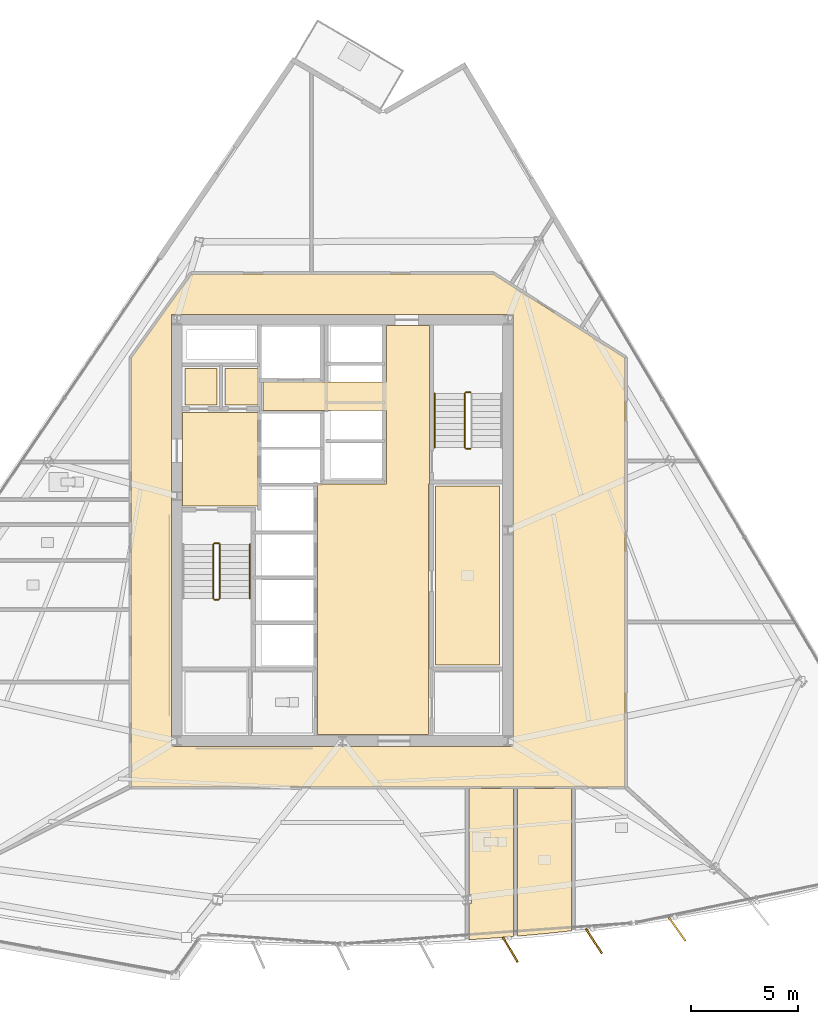
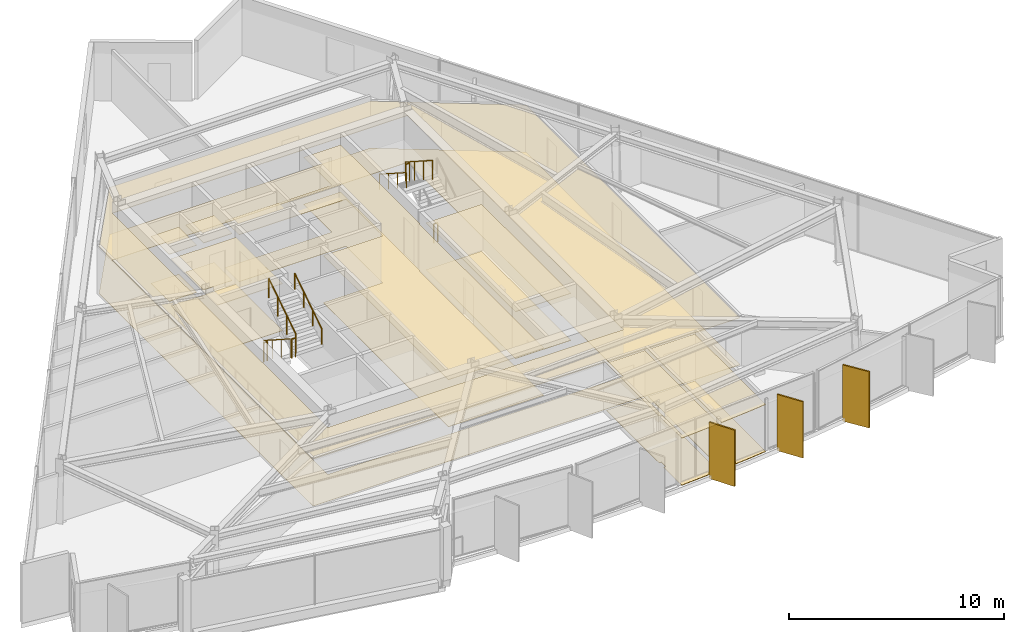
# One storey, part 12 of 14: 16 coverings, 9 railings, 3 shading devices.
"""IFC4 building model written with IfcOpenShell, lengths in metres."""

import ifcopenshell
import ifcopenshell.guid

model = None  # the IFC model being written
_history = None  # IfcOwnerHistory: only IFC2X3 demands one
_inside = {}  # id of a spatial element -> (the spatial element, [elements in it])
_under = {}  # id of a project, library or spatial element -> (it, [spatial elements below it])
_declared = {}  # id of a project -> (the project, [libraries it declares])
_typed = {}  # id of a type object -> (the type object, [elements of that type])
_made_of = {}  # id of a material, layer set ... -> (it, [elements and type objects made of it])


def new_model(schema):
    """Start an empty IFC model of exactly this schema.

    Asked for "IFC4X3", IfcOpenShell would pick the latest addendum, in which some entities
    have other attributes; the version numbers below select the first issue.
    IFC2X3 requires an IfcOwnerHistory on every rooted entity: one is made here for all.
    """
    global model, _history
    if schema == "IFC4X3":
        model = ifcopenshell.file(schema_version=(4, 3, 0, 0))
    else:
        model = ifcopenshell.file(schema=schema)
    _inside.clear()
    _under.clear()
    _declared.clear()
    _typed.clear()
    _made_of.clear()
    _history = None
    if model.schema == "IFC2X3":
        org = make("IfcOrganization", Name="unknown")
        user = make(
            "IfcPersonAndOrganization",
            ThePerson=make("IfcPerson", FamilyName="unknown"),
            TheOrganization=org,
        )
        app = make(
            "IfcApplication",
            ApplicationDeveloper=org,
            Version="unknown",
            ApplicationFullName="unknown",
            ApplicationIdentifier="unknown",
        )
        _history = make(
            "IfcOwnerHistory",
            OwningUser=user,
            OwningApplication=app,
            ChangeAction="ADDED",
            CreationDate=0,
        )
    return model


def make(cls, **values):
    """One entity of the class cls with the attributes given. An attribute that is None is left unset."""
    return model.create_entity(
        cls, **{name: value for name, value in values.items() if value is not None}
    )


def rooted(cls, **values):
    """An entity with a GlobalId (a new one), such as an element, a storey or a relation."""
    return make(cls, GlobalId=ifcopenshell.guid.new(), OwnerHistory=_history, **values)


def si_unit(unit_type, name, prefix=None):
    """IfcSIUnit, for example si_unit("LENGTHUNIT", "METRE", prefix="MILLI")."""
    return make("IfcSIUnit", UnitType=unit_type, Prefix=prefix, Name=name)


def assignment(units):
    """IfcUnitAssignment: the units of a project."""
    return None if units is None else make("IfcUnitAssignment", Units=units)


def point(xyz):
    """IfcCartesianPoint."""
    return None if xyz is None else make("IfcCartesianPoint", Coordinates=xyz)


def direction(xyz):
    """IfcDirection."""
    return None if xyz is None else make("IfcDirection", DirectionRatios=xyz)


def frame(location, z_axis=None, x_axis=None):
    """IfcAxis2Placement3D, a coordinate frame: its origin and axes. An axis left out is left unset."""
    return make(
        "IfcAxis2Placement3D",
        Location=point(location),
        Axis=direction(z_axis),
        RefDirection=direction(x_axis),
    )


def frame_2d(location, x_axis=None):
    """IfcAxis2Placement2D, a coordinate frame in the plane: its origin and x axis."""
    return make(
        "IfcAxis2Placement2D", Location=point(location), RefDirection=direction(x_axis)
    )


def origin():
    """The frame at (0, 0, 0) with its axes left unset."""
    return frame((0.0, 0.0, 0.0))


def origin_2d():
    """The frame at (0, 0) in the plane with its x axis left unset."""
    return frame_2d((0.0, 0.0))


def place(relative_to, where):
    """IfcLocalPlacement: puts the frame where relative to a parent placement (None: the world)."""
    return make(
        "IfcLocalPlacement", PlacementRelTo=relative_to, RelativePlacement=where
    )


def context(
    kind, dimensions, precision=None, world=None, true_north=None, identifier=None
):
    """IfcGeometricRepresentationContext, for example the 3D "Model" context."""
    return make(
        "IfcGeometricRepresentationContext",
        ContextIdentifier=identifier,
        ContextType=kind,
        CoordinateSpaceDimension=dimensions,
        Precision=precision,
        WorldCoordinateSystem=world,
        TrueNorth=true_north,
    )


def subcontext(parent, identifier, kind, view, scale=None):
    """IfcGeometricRepresentationSubContext, for example "Body" below "Model"."""
    return make(
        "IfcGeometricRepresentationSubContext",
        ContextIdentifier=identifier,
        ContextType=kind,
        ParentContext=parent,
        TargetScale=scale,
        TargetView=view,
    )


def project(units=None, contexts=None):
    """IfcProject with its units and contexts."""
    return rooted(
        "IfcProject",
        Name="project",
        RepresentationContexts=contexts,
        UnitsInContext=assignment(units),
    )


def spatial(cls, under=None, at=None, **own):
    """A site, building, storey or space (cls), placed at a placement, below another one or the project."""
    s = rooted(cls, ObjectPlacement=at, **own)
    if under is not None:
        _under.setdefault(under.id(), (under, []))[1].append(s)
    return s


def polyline(points):
    """IfcPolyline through the points."""
    return make("IfcPolyline", Points=[point(p) for p in points])


def profile(cls, at=None, kind="AREA", **sizes):
    """A parametric profile (cls). Its sizes go by their IFC names, for example OverallWidth=200.0."""
    return make(cls, ProfileType=kind, Position=at, **sizes)


def rectangle(**sizes):
    """IfcRectangleProfileDef."""
    return profile("IfcRectangleProfileDef", **sizes)


def circle(**sizes):
    """IfcCircleProfileDef."""
    return profile("IfcCircleProfileDef", **sizes)


def outline(outer, holes=None, kind="AREA"):
    """IfcArbitraryClosedProfileDef: a profile drawn as a closed curve; with holes, ...WithVoids."""
    if holes is None:
        return make("IfcArbitraryClosedProfileDef", ProfileType=kind, OuterCurve=outer)
    return make(
        "IfcArbitraryProfileDefWithVoids",
        ProfileType=kind,
        OuterCurve=outer,
        InnerCurves=holes,
    )


def extrude(swept, where, along, depth):
    """IfcExtrudedAreaSolid: the profile swept, set in the frame where, extruded along a direction by depth."""
    return make(
        "IfcExtrudedAreaSolid",
        SweptArea=swept,
        Position=where,
        ExtrudedDirection=direction(along),
        Depth=depth,
    )


def shape(context_of_items, identifier, shape_type, items):
    """IfcShapeRepresentation: the items that make up one representation, for example the "Body"."""
    return make(
        "IfcShapeRepresentation",
        ContextOfItems=context_of_items,
        RepresentationIdentifier=identifier,
        RepresentationType=shape_type,
        Items=items,
    )


def material(Name=None, Category=None):
    """IfcMaterial."""
    return make("IfcMaterial", Name=Name, Category=Category)


def layer(
    of_material, thickness, ventilated=None, Name=None, Category=None, Priority=None
):
    """IfcMaterialLayer: one layer of a wall or slab, of a material (None: an air gap)."""
    return make(
        "IfcMaterialLayer",
        Material=of_material,
        LayerThickness=thickness,
        IsVentilated=ventilated,
        Name=Name,
        Category=Category,
        Priority=Priority,
    )


def layer_set(layers, Name=None):
    """IfcMaterialLayerSet."""
    return make("IfcMaterialLayerSet", MaterialLayers=layers, LayerSetName=Name)


def made_of(thing, what):
    """Note that an element or type object is made of a material, layer set ...; save() writes the relation."""
    if what is not None:
        _made_of.setdefault(what.id(), (what, []))[1].append(thing)
    return thing


def type_object(cls, material=None, **own):
    """A type object (cls), such as IfcWallType, which elements share."""
    return made_of(rooted(cls, **own), material)


def element(
    cls,
    number,
    at=None,
    inside=None,
    cuts=None,
    type_object=None,
    material=None,
    context=None,
    identifier="Body",
    shape_type=None,
    held_by="IfcProductDefinitionShape",
    body=None,
    shapes=None,
    **own,
):
    """One element of the class cls, such as IfcWall. Its Tag is "e" and its number.

    at: its placement. inside: the storey or other place that contains it. cuts: it is an
    opening in that element (IfcRelVoidsElement). A single representation is given by context,
    identifier, shape_type and body (its items); several are given by shapes. held_by: the class
    of the entity that holds the representations. save() writes the other relations.
    """
    e = rooted(cls, Tag="e%d" % number, ObjectPlacement=at, **own)
    if body is not None:
        shapes = [shape(context, identifier, shape_type, body)]
    if shapes is not None:
        e.Representation = make(held_by, Representations=shapes)
    if inside is not None:
        _inside.setdefault(inside.id(), (inside, []))[1].append(e)
    if cuts is not None:
        rooted(
            "IfcRelVoidsElement", RelatingBuildingElement=cuts, RelatedOpeningElement=e
        )
    if type_object is not None:
        _typed.setdefault(type_object.id(), (type_object, []))[1].append(e)
    return made_of(e, material)


def aggregate(whole, parts):
    """IfcRelAggregates: a whole, such as a stair, and the parts it consists of."""
    return rooted("IfcRelAggregates", RelatingObject=whole, RelatedObjects=parts)


def save(model, path):
    """Write the relations noted so far, then the file.

    IfcRelAggregates (storeys below a building ...), IfcRelContainedInSpatialStructure (elements
    in a storey), IfcRelDefinesByType, IfcRelAssociatesMaterial and IfcRelDeclares: one each for
    every whole, place, type object, material and project.
    """
    for whole, parts in _under.values():
        aggregate(whole, parts)
    for where, things in _inside.values():
        rooted(
            "IfcRelContainedInSpatialStructure",
            RelatedElements=things,
            RelatingStructure=where,
        )
    for kind, things in _typed.values():
        rooted("IfcRelDefinesByType", RelatedObjects=things, RelatingType=kind)
    for what, things in _made_of.values():
        rooted("IfcRelAssociatesMaterial", RelatedObjects=things, RelatingMaterial=what)
    for by, libraries in _declared.values():
        rooted("IfcRelDeclares", RelatingContext=by, RelatedDefinitions=libraries)
    model.write(path)


model = new_model("IFC4")

# Units and contexts
model_context = context("Model", 3, precision=1e-05, world=origin(), true_north=direction((0.0, 1.0)))
body_context = subcontext(model_context, "Body", "Model", "MODEL_VIEW")
ifc_project = project(units=[si_unit("LENGTHUNIT", "METRE"), si_unit("AREAUNIT", "SQUARE_METRE"), si_unit("VOLUMEUNIT", "CUBIC_METRE"), si_unit("PLANEANGLEUNIT", "RADIAN"), si_unit("MASSUNIT", "GRAM", prefix="KILO")], contexts=[model_context])

# Site, building, storey
site_placement = place(None, origin())
site = spatial("IfcSite", under=ifc_project, at=site_placement, CompositionType="ELEMENT")
building_placement = place(site_placement, origin())
building = spatial("IfcBuilding", under=site, at=building_placement, Name="Savorim Split Tower", CompositionType="ELEMENT")
storey_placement = place(building_placement, frame((0.0, 0.0, 178.199951171875)))
storey = spatial("IfcBuildingStorey", under=building, at=storey_placement, Name="L47", CompositionType="ELEMENT", Elevation=178.199951171875)

# Coverings
ifc_material_1 = material(Name="Mineral Fibre Acoustic Ceiling")
ifc_layer_1 = layer(ifc_material_1, 0.02490234375)
ifc_layer_set_1 = layer_set([ifc_layer_1], Name="COV-CEIL-25")
covering_type_1 = type_object("IfcCoveringType", Name="COV-CEIL-25", PredefinedType="CEILING", material=ifc_layer_set_1)
covering_1_placement = place(storey_placement, frame((0.0, 0.0, 2.670166015625)))
element("IfcCovering", 1, at=covering_1_placement, inside=storey, type_object=covering_type_1, Name="L47 Firefighting Lift Lobby Acoustic Ceiling", PredefinedType="CEILING", context=body_context, shape_type="SweptSolid", body=[
    extrude(outline(polyline([(-7.429931640625, 5.8701171875), (-7.429931640625, 1.530029296875), (-3.929931640625, 1.530029296875), (-3.929931640625, 5.8701171875), (-7.429931640625, 5.8701171875)])), origin(), (0.0, 0.0, 1.0), 0.02490234375),
])
covering_2_placement = place(storey_placement, frame((0.0, 0.0, 2.670166015625)))
element("IfcCovering", 2, at=covering_2_placement, inside=storey, type_object=covering_type_1, Name="L47 Electrical Riser Acoustic Ceiling", PredefinedType="CEILING", context=body_context, shape_type="SweptSolid", body=[
    extrude(outline(polyline([(-7.320068359375, 7.919921875), (-7.320068359375, 6.22998046875), (-5.830078125, 6.22998046875), (-5.830078125, 7.919921875), (-7.320068359375, 7.919921875)])), origin(), (0.0, 0.0, 1.0), 0.02490234375),
])
covering_3_placement = place(storey_placement, frame((0.0, 0.0, 2.670166015625)))
element("IfcCovering", 3, at=covering_3_placement, inside=storey, type_object=covering_type_1, Name="L47 Telecom Riser Acoustic Ceiling", PredefinedType="CEILING", context=body_context, shape_type="SweptSolid", body=[
    extrude(outline(polyline([(-5.469970703125, 7.919921875), (-5.469970703125, 6.22998046875), (-3.929931640625, 6.22998046875), (-3.929931640625, 7.919921875), (-5.469970703125, 7.919921875)])), origin(), (0.0, 0.0, 1.0), 0.02490234375),
])
covering_4_placement = place(storey_placement, frame((0.0, 0.0, 2.670166015625)))
element("IfcCovering", 4, at=covering_4_placement, inside=storey, type_object=covering_type_1, Name="L47 Lift Lobby Acoustic Ceiling", PredefinedType="CEILING", context=body_context, shape_type="SweptSolid", body=[
    extrude(outline(polyline([(2.050048828125, 2.550048828125), (-1.14990234375, 2.550048828125), (-1.14990234375, -9.10009765625), (4.0, -9.10009765625), (4.0, 2.550048828125), (4.050048828125, 2.550048828125), (4.050048828125, 5.97998046875), (4.050048828125, 7.300048828125), (4.050048828125, 9.929931640625), (2.050048828125, 9.929931640625), (2.050048828125, 7.300048828125), (-3.699951171875, 7.300048828125), (-3.699951171875, 5.97998046875), (2.050048828125, 5.97998046875), (2.050048828125, 2.550048828125)])), origin(), (0.0, 0.0, 1.0), 0.02490234375),
])
covering_5_placement = place(storey_placement, frame((0.0, 0.0, 2.670166015625)))
element("IfcCovering", 5, at=covering_5_placement, inside=storey, type_object=covering_type_1, Name="L47 Community Laundry Room Acoustic Ceiling", PredefinedType="CEILING", context=body_context, shape_type="SweptSolid", body=[
    extrude(outline(polyline([(4.330078125, 2.469970703125), (4.330078125, -5.8701171875), (7.320068359375, -5.8701171875), (7.320068359375, 2.469970703125), (4.330078125, 2.469970703125)])), origin(), (0.0, 0.0, 1.0), 0.02490234375),
])
covering_6_placement = place(storey_placement, frame((0.0, 0.0, 2.670166015625)))
element("IfcCovering", 6, at=covering_6_placement, inside=storey, type_object=covering_type_1, Name="L47 Corridor Acoustic Ceiling", PredefinedType="CEILING", context=body_context, shape_type="SweptSolid", body=[
    extrude(outline(polyline([(7.009521484375, 12.3291015625), (7.004638671875, 12.329833984375), (7.0, 12.330078125), (-7.0, 12.330078125), (-7.004638671875, 12.329833984375), (-7.009521484375, 12.3291015625), (-7.013916015625, 12.327880859375), (-7.0185546875, 12.326416015625), (-7.022705078125, 12.324462890625), (-7.027099609375, 12.322021484375), (-7.03076171875, 12.3193359375), (-7.034423828125, 12.31640625), (-7.03759765625, 12.312744140625), (-7.04052734375, 12.30908203125), (-9.820556640625, 8.42919921875), (-9.823486328125, 8.4248046875), (-9.82568359375, 8.420166015625), (-9.82763671875, 8.415283203125), (-9.828857421875, 8.410400390625), (-9.82958984375, 8.4052734375), (-9.830078125, 8.39990234375), (-9.830078125, -11.47998046875), (-9.829833984375, -11.48486328125), (-9.8291015625, -11.48974609375), (-9.827880859375, -11.494384765625), (-9.826171875, -11.4990234375), (-9.82421875, -11.503662109375), (-9.821533203125, -11.5078125), (-9.818603515625, -11.51171875), (-9.8154296875, -11.515380859375), (-9.811767578125, -11.518798828125), (-9.807861328125, -11.521484375), (-9.8037109375, -11.524169921875), (-9.799072265625, -11.526123046875), (-9.79443359375, -11.52783203125), (-9.789794921875, -11.529052734375), (-9.784912109375, -11.52978515625), (-9.780029296875, -11.530029296875), (13.10009765625, -11.530029296875), (13.10498046875, -11.52978515625), (13.10986328125, -11.529052734375), (13.114501953125, -11.52783203125), (13.119140625, -11.526123046875), (13.12353515625, -11.524169921875), (13.127685546875, -11.521484375), (13.131591796875, -11.518798828125), (13.135498046875, -11.515380859375), (13.138671875, -11.51171875), (13.1416015625, -11.5078125), (13.14404296875, -11.503662109375), (13.146240234375, -11.4990234375), (13.147705078125, -11.494384765625), (13.14892578125, -11.48974609375), (13.14990234375, -11.48486328125), (13.14990234375, -11.47998046875), (13.14990234375, 8.39990234375), (13.149658203125, 8.405029296875), (13.14892578125, 8.409912109375), (13.147705078125, 8.414794921875), (13.14599609375, 8.41943359375), (13.143798828125, 8.424072265625), (13.14111328125, 8.42822265625), (13.13818359375, 8.432373046875), (13.134765625, 8.43603515625), (13.130859375, 8.439208984375), (13.126708984375, 8.442138671875), (7.02685546875, 12.322265625), (7.022705078125, 12.324462890625), (7.018310546875, 12.326416015625), (7.013916015625, 12.327880859375), (7.009521484375, 12.3291015625)]), holes=[polyline([(-7.949951171875, 10.449951171875), (-7.949951171875, -9.64990234375), (7.949951171875, -9.64990234375), (7.949951171875, 10.449951171875), (-7.949951171875, 10.449951171875)])]), origin(), (0.0, 0.0, 1.0), 0.02490234375),
])
covering_7_placement = place(storey_placement, frame((0.0, 0.0, 2.670166015625)))
element("IfcCovering", 7, at=covering_7_placement, inside=storey, type_object=covering_type_1, Name="L47 Shared Bathroom Acoustic Ceiling", PredefinedType="CEILING", context=body_context, shape_type="SweptSolid", body=[
    extrude(outline(polyline([(5.8935546875, -18.6044921875), (5.8935546875, -18.648193359375), (7.7626953125, -18.51416015625), (7.957275390625, -18.49609375), (7.957275390625, -11.6201171875), (5.8935546875, -11.6201171875), (5.8935546875, -16.548828125), (6.009033203125, -16.548828125), (6.009033203125, -16.968017578125), (5.8935546875, -16.968017578125), (5.8935546875, -18.6044921875)])), origin(), (0.0, 0.0, 1.0), 0.02490234375),
])
covering_8_placement = place(storey_placement, frame((0.0, 0.0, 2.670166015625)))
element("IfcCovering", 8, at=covering_8_placement, inside=storey, type_object=covering_type_1, Name="L47 Shared Kitchen Acoustic Ceiling", PredefinedType="CEILING", context=body_context, shape_type="SweptSolid", body=[
    extrude(outline(polyline([(8.147216796875, -11.6201171875), (8.147216796875, -18.478515625), (9.697509765625, -18.33544921875), (10.656005859375, -18.22705078125), (10.656005859375, -11.6201171875), (8.147216796875, -11.6201171875)])), origin(), (0.0, 0.0, 1.0), 0.02490234375),
])
ifc_material_2 = material(Name="Porcelain Stoneware Flooring", Category="masonry")
ifc_layer_2 = layer(ifc_material_2, 0.02001953125)
ifc_layer_set_2 = layer_set([ifc_layer_2], Name="COV-FLOR-20")
covering_type_2 = type_object("IfcCoveringType", Name="COV-FLOR-20", PredefinedType="FLOORING", material=ifc_layer_set_2)
covering_9_placement = place(storey_placement, origin())
element("IfcCovering", 9, at=covering_9_placement, inside=storey, type_object=covering_type_2, Name="L47 Firefighting Lift Lobby Porcelain Flooring", PredefinedType="FLOORING", context=body_context, shape_type="SweptSolid", body=[
    extrude(outline(polyline([(-7.429931640625, 5.8701171875), (-7.429931640625, 1.530029296875), (-3.929931640625, 1.530029296875), (-3.929931640625, 5.8701171875), (-7.429931640625, 5.8701171875)])), origin(), (0.0, 0.0, 1.0), 0.02001953125),
])
covering_10_placement = place(storey_placement, origin())
element("IfcCovering", 10, at=covering_10_placement, inside=storey, type_object=covering_type_2, Name="L47 Electrical Riser Porcelain Flooring", PredefinedType="FLOORING", context=body_context, shape_type="SweptSolid", body=[
    extrude(outline(polyline([(-7.320068359375, 7.919921875), (-7.320068359375, 6.22998046875), (-5.830078125, 6.22998046875), (-5.830078125, 7.919921875), (-7.320068359375, 7.919921875)])), origin(), (0.0, 0.0, 1.0), 0.02001953125),
])
covering_11_placement = place(storey_placement, origin())
element("IfcCovering", 11, at=covering_11_placement, inside=storey, type_object=covering_type_2, Name="L47 Telecom Riser Porcelain Flooring", PredefinedType="FLOORING", context=body_context, shape_type="SweptSolid", body=[
    extrude(outline(polyline([(-5.469970703125, 7.919921875), (-5.469970703125, 6.22998046875), (-3.929931640625, 6.22998046875), (-3.929931640625, 7.919921875), (-5.469970703125, 7.919921875)])), origin(), (0.0, 0.0, 1.0), 0.02001953125),
])
covering_12_placement = place(storey_placement, origin())
element("IfcCovering", 12, at=covering_12_placement, inside=storey, type_object=covering_type_2, Name="L47 Lift Lobby Porcelain Flooring", PredefinedType="FLOORING", context=body_context, shape_type="SweptSolid", body=[
    extrude(outline(polyline([(2.050048828125, 2.550048828125), (-1.14990234375, 2.550048828125), (-1.14990234375, -9.10009765625), (4.0, -9.10009765625), (4.0, 2.550048828125), (4.050048828125, 2.550048828125), (4.050048828125, 5.97998046875), (4.050048828125, 7.300048828125), (4.050048828125, 9.929931640625), (2.050048828125, 9.929931640625), (2.050048828125, 7.300048828125), (-3.699951171875, 7.300048828125), (-3.699951171875, 5.97998046875), (2.050048828125, 5.97998046875), (2.050048828125, 2.550048828125)])), origin(), (0.0, 0.0, 1.0), 0.02001953125),
])
covering_13_placement = place(storey_placement, origin())
element("IfcCovering", 13, at=covering_13_placement, inside=storey, type_object=covering_type_2, Name="L47 Community Laundry Room Porcelain Flooring", PredefinedType="FLOORING", context=body_context, shape_type="SweptSolid", body=[
    extrude(outline(polyline([(4.330078125, 2.469970703125), (4.330078125, -5.8701171875), (7.320068359375, -5.8701171875), (7.320068359375, 2.469970703125), (4.330078125, 2.469970703125)])), origin(), (0.0, 0.0, 1.0), 0.02001953125),
])
covering_14_placement = place(storey_placement, origin())
element("IfcCovering", 14, at=covering_14_placement, inside=storey, type_object=covering_type_2, Name="L47 Corridor Porcelain Flooring", PredefinedType="FLOORING", context=body_context, shape_type="SweptSolid", body=[
    extrude(outline(polyline([(7.009521484375, 12.3291015625), (7.004638671875, 12.329833984375), (7.0, 12.330078125), (-7.0, 12.330078125), (-7.004638671875, 12.329833984375), (-7.009521484375, 12.3291015625), (-7.013916015625, 12.327880859375), (-7.0185546875, 12.326416015625), (-7.022705078125, 12.324462890625), (-7.027099609375, 12.322021484375), (-7.03076171875, 12.3193359375), (-7.034423828125, 12.31640625), (-7.03759765625, 12.312744140625), (-7.04052734375, 12.30908203125), (-9.820556640625, 8.42919921875), (-9.823486328125, 8.4248046875), (-9.82568359375, 8.420166015625), (-9.82763671875, 8.415283203125), (-9.828857421875, 8.410400390625), (-9.82958984375, 8.4052734375), (-9.830078125, 8.39990234375), (-9.830078125, -11.47998046875), (-9.829833984375, -11.48486328125), (-9.8291015625, -11.48974609375), (-9.827880859375, -11.494384765625), (-9.826171875, -11.4990234375), (-9.82421875, -11.503662109375), (-9.821533203125, -11.5078125), (-9.818603515625, -11.51171875), (-9.8154296875, -11.515380859375), (-9.811767578125, -11.518798828125), (-9.807861328125, -11.521484375), (-9.8037109375, -11.524169921875), (-9.799072265625, -11.526123046875), (-9.79443359375, -11.52783203125), (-9.789794921875, -11.529052734375), (-9.784912109375, -11.52978515625), (-9.780029296875, -11.530029296875), (13.10009765625, -11.530029296875), (13.10498046875, -11.52978515625), (13.10986328125, -11.529052734375), (13.114501953125, -11.52783203125), (13.119140625, -11.526123046875), (13.12353515625, -11.524169921875), (13.127685546875, -11.521484375), (13.131591796875, -11.518798828125), (13.135498046875, -11.515380859375), (13.138671875, -11.51171875), (13.1416015625, -11.5078125), (13.14404296875, -11.503662109375), (13.146240234375, -11.4990234375), (13.147705078125, -11.494384765625), (13.14892578125, -11.48974609375), (13.14990234375, -11.48486328125), (13.14990234375, -11.47998046875), (13.14990234375, 8.39990234375), (13.149658203125, 8.405029296875), (13.14892578125, 8.409912109375), (13.147705078125, 8.414794921875), (13.14599609375, 8.41943359375), (13.143798828125, 8.424072265625), (13.14111328125, 8.42822265625), (13.13818359375, 8.432373046875), (13.134765625, 8.43603515625), (13.130859375, 8.439208984375), (13.126708984375, 8.442138671875), (7.02685546875, 12.322265625), (7.022705078125, 12.324462890625), (7.018310546875, 12.326416015625), (7.013916015625, 12.327880859375), (7.009521484375, 12.3291015625)]), holes=[polyline([(-7.949951171875, 10.449951171875), (-7.949951171875, -9.64990234375), (7.949951171875, -9.64990234375), (7.949951171875, 10.449951171875), (-7.949951171875, 10.449951171875)])]), origin(), (0.0, 0.0, 1.0), 0.02001953125),
])
covering_15_placement = place(storey_placement, origin())
element("IfcCovering", 15, at=covering_15_placement, inside=storey, type_object=covering_type_2, Name="L47 Shared Bathroom Porcelain Flooring", PredefinedType="FLOORING", context=body_context, shape_type="SweptSolid", body=[
    extrude(outline(polyline([(5.8935546875, -18.6044921875), (5.8935546875, -18.648193359375), (7.7626953125, -18.51416015625), (7.957275390625, -18.49609375), (7.957275390625, -11.6201171875), (5.8935546875, -11.6201171875), (5.8935546875, -16.548828125), (6.009033203125, -16.548828125), (6.009033203125, -16.968017578125), (5.8935546875, -16.968017578125), (5.8935546875, -18.6044921875)])), origin(), (0.0, 0.0, 1.0), 0.02001953125),
])
covering_16_placement = place(storey_placement, origin())
element("IfcCovering", 16, at=covering_16_placement, inside=storey, type_object=covering_type_2, Name="L47 Shared Kitchen Porcelain Flooring", PredefinedType="FLOORING", context=body_context, shape_type="SweptSolid", body=[
    extrude(outline(polyline([(8.147216796875, -11.6201171875), (8.147216796875, -18.478515625), (9.697509765625, -18.33544921875), (10.656005859375, -18.22705078125), (10.656005859375, -11.6201171875), (8.147216796875, -11.6201171875)])), origin(), (0.0, 0.0, 1.0), 0.02001953125),
])

# Railings
ifc_material_3 = material(Name="Galvanised Painted Steel Balustrade", Category="steel")
railing_type_1 = type_object("IfcRailingType", Name="RLG-HR-900", PredefinedType="HANDRAIL", material=ifc_material_3)
railing_1_placement = place(storey_placement, frame((-4.300048828125, -2.77001953125, 1.97998046875)))
element("IfcRailing", 17, at=railing_1_placement, inside=storey, type_object=railing_type_1, Name="L47 ST-1 stair handrail 2", PredefinedType="HANDRAIL", context=body_context, shape_type="SweptSolid", body=[
    extrude(circle(Radius=0.02392578125, at=origin_2d()), frame((0.0, 0.0, 0.8759765625), z_axis=(0.0, 0.841162588446, 0.540782303519), x_axis=(-1.0, 0.0, 0.0)), (0.0, 0.0, 1.0), 2.995849609375),
    extrude(circle(Radius=0.02099609375, at=origin_2d()), origin(), (0.0, 0.0, 1.0), 0.851806640625),
    extrude(circle(Radius=0.02099609375, at=origin_2d()), frame((0.0, 0.840087890625, 0.5400390625)), (0.0, 0.0, 1.0), 0.851806640625),
    extrude(circle(Radius=0.02099609375, at=origin_2d()), frame((0.0, 1.679931640625, 1.080078125)), (0.0, 0.0, 1.0), 0.851806640625),
    extrude(circle(Radius=0.02099609375, at=origin_2d()), frame((0.0, 2.52001953125, 1.6201171875)), (0.0, 0.0, 1.0), 0.851806640625),
])
railing_2_placement = place(storey_placement, frame((4.300048828125, 6.77001953125, 1.97998046875)))
element("IfcRailing", 18, at=railing_2_placement, inside=storey, type_object=railing_type_1, Name="L47 ST-2 stair handrail 2", PredefinedType="HANDRAIL", context=body_context, shape_type="SweptSolid", body=[
    extrude(circle(Radius=0.02392578125, at=origin_2d()), frame((0.0, 0.0, 0.8759765625), z_axis=(0.0, -0.841162588446, 0.540782303519), x_axis=(1.0, 0.0, 0.0)), (0.0, 0.0, 1.0), 2.995849609375),
    extrude(circle(Radius=0.02099609375, at=origin_2d()), origin(), (0.0, 0.0, 1.0), 0.851806640625),
    extrude(circle(Radius=0.02099609375, at=origin_2d()), frame((0.0, -0.840087890625, 0.5400390625)), (0.0, 0.0, 1.0), 0.851806640625),
    extrude(circle(Radius=0.02099609375, at=origin_2d()), frame((0.0, -1.679931640625, 1.080078125)), (0.0, 0.0, 1.0), 0.851806640625),
    extrude(circle(Radius=0.02099609375, at=origin_2d()), frame((0.0, -2.52001953125, 1.6201171875)), (0.0, 0.0, 1.0), 0.851806640625),
])
railing_type_2 = type_object("IfcRailingType", Name="RLG-STG-1100", PredefinedType="BALUSTRADE", material=ifc_material_3)
railing_3_placement = place(storey_placement, frame((-6.0, -0.25, 0.179931640625)))
element("IfcRailing", 19, at=railing_3_placement, inside=storey, type_object=railing_type_2, Name="L47 ST-1 stair guard 1", PredefinedType="BALUSTRADE", context=body_context, shape_type="SweptSolid", body=[
    extrude(circle(Radius=0.02392578125, at=origin_2d()), frame((0.0, 0.0, 1.076171875), z_axis=(0.0, -0.841162588446, 0.540782303519), x_axis=(1.0, 0.0, 0.0)), (0.0, 0.0, 1.0), 2.995849609375),
    extrude(circle(Radius=0.02099609375, at=origin_2d()), origin(), (0.0, 0.0, 1.0), 1.052001953125),
    extrude(circle(Radius=0.02099609375, at=origin_2d()), frame((0.0, -0.840087890625, 0.5400390625)), (0.0, 0.0, 1.0), 1.052001953125),
    extrude(circle(Radius=0.02099609375, at=origin_2d()), frame((0.0, -1.679931640625, 1.080078125)), (0.0, 0.0, 1.0), 1.052001953125),
    extrude(circle(Radius=0.02099609375, at=origin_2d()), frame((0.0, -2.52001953125, 1.6201171875)), (0.0, 0.0, 1.0), 1.052001953125),
])
railing_4_placement = place(storey_placement, frame((-5.949951171875, -2.820068359375, 1.800048828125)))
element("IfcRailing", 20, at=railing_4_placement, inside=storey, type_object=railing_type_2, Name="L47 ST-1 stair guard 2", PredefinedType="BALUSTRADE", context=body_context, shape_type="SweptSolid", body=[
    extrude(circle(Radius=0.02392578125, at=origin_2d()), frame((0.0, 0.0, 1.076171875), z_axis=(1.0, 0.0, 0.0), x_axis=(0.0, 1.0, 0.0)), (0.0, 0.0, 1.0), 0.199951171875),
    extrude(circle(Radius=0.02099609375, at=origin_2d()), origin(), (0.0, 0.0, 1.0), 1.052001953125),
    extrude(circle(Radius=0.02099609375, at=origin_2d()), frame((0.199951171875, 0.0, 0.0)), (0.0, 0.0, 1.0), 1.052001953125),
])
railing_5_placement = place(storey_placement, frame((-5.699951171875, -2.77001953125, 1.97998046875)))
element("IfcRailing", 21, at=railing_5_placement, inside=storey, type_object=railing_type_2, Name="L47 ST-1 stair guard 3", PredefinedType="BALUSTRADE", context=body_context, shape_type="SweptSolid", body=[
    extrude(circle(Radius=0.02392578125, at=origin_2d()), frame((0.0, 0.0, 1.076171875), z_axis=(0.0, 0.841162588446, 0.540782303519), x_axis=(-1.0, 0.0, 0.0)), (0.0, 0.0, 1.0), 2.995849609375),
    extrude(circle(Radius=0.02099609375, at=origin_2d()), origin(), (0.0, 0.0, 1.0), 1.052001953125),
    extrude(circle(Radius=0.02099609375, at=origin_2d()), frame((0.0, 0.840087890625, 0.5400390625)), (0.0, 0.0, 1.0), 1.052001953125),
    extrude(circle(Radius=0.02099609375, at=origin_2d()), frame((0.0, 1.679931640625, 1.080078125)), (0.0, 0.0, 1.0), 1.052001953125),
    extrude(circle(Radius=0.02099609375, at=origin_2d()), frame((0.0, 2.52001953125, 1.6201171875)), (0.0, 0.0, 1.0), 1.052001953125),
])
railing_6_placement = place(storey_placement, frame((-5.949951171875, -0.199951171875, 0.0)))
element("IfcRailing", 22, at=railing_6_placement, inside=storey, type_object=railing_type_2, Name="L47 ST-1 stair guard 4", PredefinedType="BALUSTRADE", context=body_context, shape_type="SweptSolid", body=[
    extrude(circle(Radius=0.02392578125, at=origin_2d()), frame((0.0, 0.0, 1.076171875), z_axis=(1.0, 0.0, 0.0), x_axis=(0.0, 1.0, 0.0)), (0.0, 0.0, 1.0), 0.199951171875),
    extrude(circle(Radius=0.02099609375, at=origin_2d()), origin(), (0.0, 0.0, 1.0), 1.052001953125),
    extrude(circle(Radius=0.02099609375, at=origin_2d()), frame((0.199951171875, 0.0, 0.0)), (0.0, 0.0, 1.0), 1.052001953125),
])
railing_7_placement = place(storey_placement, frame((5.949951171875, 6.820068359375, 1.800048828125)))
element("IfcRailing", 23, at=railing_7_placement, inside=storey, type_object=railing_type_2, Name="L47 ST-2 stair guard 2", PredefinedType="BALUSTRADE", context=body_context, shape_type="SweptSolid", body=[
    extrude(circle(Radius=0.02392578125, at=origin_2d()), frame((0.0, 0.0, 1.076171875), z_axis=(-1.0, 0.0, 0.0), x_axis=(0.0, -1.0, 0.0)), (0.0, 0.0, 1.0), 0.199951171875),
    extrude(circle(Radius=0.02099609375, at=origin_2d()), origin(), (0.0, 0.0, 1.0), 1.052001953125),
    extrude(circle(Radius=0.02099609375, at=origin_2d()), frame((-0.199951171875, 0.0, 0.0)), (0.0, 0.0, 1.0), 1.052001953125),
])
railing_8_placement = place(storey_placement, frame((5.699951171875, 6.77001953125, 1.97998046875)))
element("IfcRailing", 24, at=railing_8_placement, inside=storey, type_object=railing_type_2, Name="L47 ST-2 stair guard 3", PredefinedType="BALUSTRADE", context=body_context, shape_type="SweptSolid", body=[
    extrude(circle(Radius=0.02392578125, at=origin_2d()), frame((0.0, 0.0, 1.076171875), z_axis=(0.0, -0.841162588446, 0.540782303519), x_axis=(1.0, 0.0, 0.0)), (0.0, 0.0, 1.0), 2.995849609375),
    extrude(circle(Radius=0.02099609375, at=origin_2d()), origin(), (0.0, 0.0, 1.0), 1.052001953125),
    extrude(circle(Radius=0.02099609375, at=origin_2d()), frame((0.0, -0.840087890625, 0.5400390625)), (0.0, 0.0, 1.0), 1.052001953125),
    extrude(circle(Radius=0.02099609375, at=origin_2d()), frame((0.0, -1.679931640625, 1.080078125)), (0.0, 0.0, 1.0), 1.052001953125),
    extrude(circle(Radius=0.02099609375, at=origin_2d()), frame((0.0, -2.52001953125, 1.6201171875)), (0.0, 0.0, 1.0), 1.052001953125),
])
railing_9_placement = place(storey_placement, frame((5.949951171875, 4.199951171875, 0.0)))
element("IfcRailing", 25, at=railing_9_placement, inside=storey, type_object=railing_type_2, Name="L47 ST-2 stair guard 4", PredefinedType="BALUSTRADE", context=body_context, shape_type="SweptSolid", body=[
    extrude(circle(Radius=0.02392578125, at=origin_2d()), frame((0.0, 0.0, 1.076171875), z_axis=(-1.0, 0.0, 0.0), x_axis=(0.0, -1.0, 0.0)), (0.0, 0.0, 1.0), 0.199951171875),
    extrude(circle(Radius=0.02099609375, at=origin_2d()), origin(), (0.0, 0.0, 1.0), 1.052001953125),
    extrude(circle(Radius=0.02099609375, at=origin_2d()), frame((-0.199951171875, 0.0, 0.0)), (0.0, 0.0, 1.0), 1.052001953125),
])

# Shading devices
ifc_material_4 = material(Name="Terracotta Ceramic-Coated Aluminium Fin", Category="masonry")
shading_device_type = type_object("IfcShadingDeviceType", Name="SHD-FIN-1360", PredefinedType="USERDEFINED", material=ifc_material_4)
for number, where, z_axis, x_axis, name in (
    (26, (7.8115234375, -19.108154296875, -0.19970703125), (0.0, 0.0, 1.0), (0.510391336723, -0.859942255851, 0.0), "L47 Sawtooth Shading Fin 09"),
    (27, (11.700927734375, -18.708740234375, -0.19970703125), (0.0, 0.0, 1.0), (0.545148321708, -0.838339613366, 0.0), "L47 Sawtooth Shading Fin 10"),
    (28, (15.57080078125, -18.150634765625, -0.19970703125), (0.0, 0.0, 1.0), (0.578993757737, -0.815331974414, 0.0), "L47 Sawtooth Shading Fin 11"),
):
    element("IfcShadingDevice", number, at=place(storey_placement, frame(where, z_axis=z_axis, x_axis=x_axis)), inside=storey, type_object=shading_device_type, Name=name, ObjectType="FIN", PredefinedType="USERDEFINED", context=body_context, shape_type="SweptSolid", body=[
        extrude(rectangle(XDim=1.360107421875, YDim=0.080078125, at=origin_2d()), origin(), (0.0, 0.0, 1.0), 3.199951171875),
    ])

save(model, "model.ifc")
